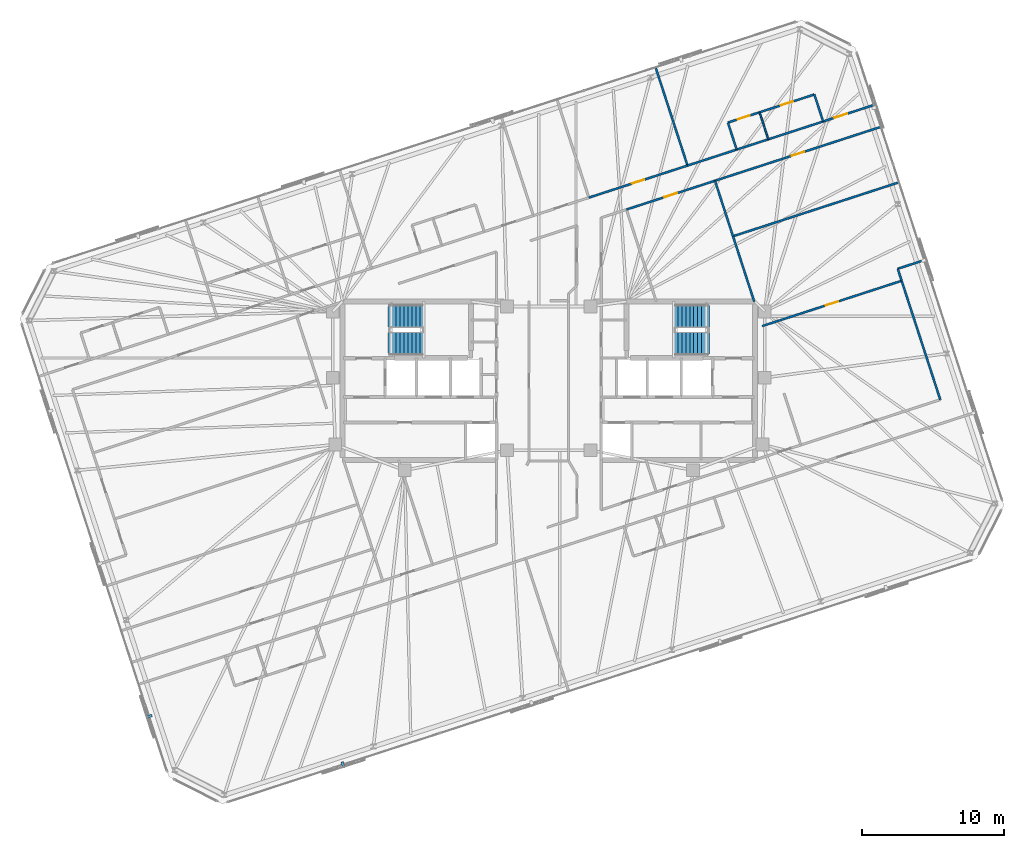
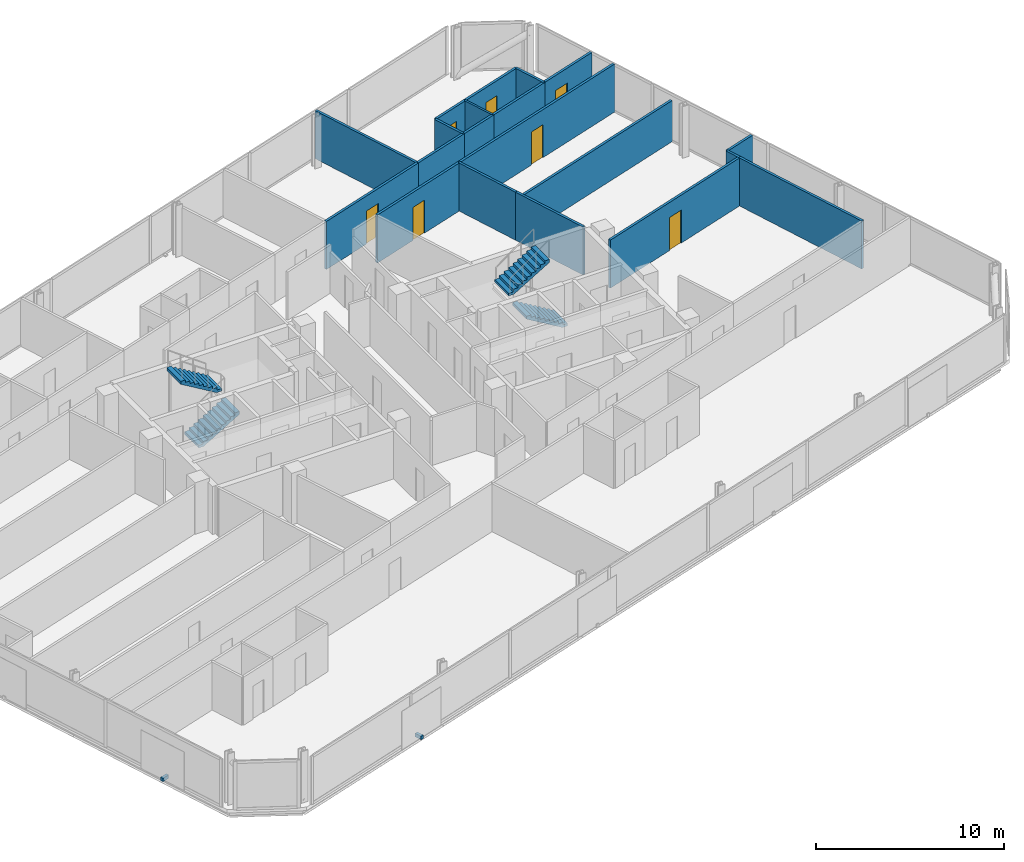
# One storey, part 17 of 19: 20 walls, 7 doors, 4 stair flights, 2 discrete accessories, 7 openings, 2 elements without a shape of their own.
"""IFC4 building model written with IfcOpenShell, lengths in metres."""

from ifc_helpers import new_model, si_unit, direction, frame, frame_2d, origin, origin_2d, place, context, subcontext, project, spatial, polyline, rectangle, outline, extrude, material, layer, layer_set, type_object, element, fill, aggregate, save


model = new_model("IFC4")

# Units and contexts
model_context = context("Model", 3, precision=1e-05, world=origin(), true_north=direction((0.0, 1.0)))
body_context = subcontext(model_context, "Body", "Model", "MODEL_VIEW")
ifc_project = project(units=[si_unit("LENGTHUNIT", "METRE"), si_unit("AREAUNIT", "SQUARE_METRE"), si_unit("VOLUMEUNIT", "CUBIC_METRE"), si_unit("PLANEANGLEUNIT", "RADIAN"), si_unit("MASSUNIT", "GRAM", prefix="KILO")], contexts=[model_context])

# Site, building, storey
site_placement = place(None, origin())
site = spatial("IfcSite", under=ifc_project, at=site_placement, CompositionType="ELEMENT")
building_placement = place(site_placement, origin())
building = spatial("IfcBuilding", under=site, at=building_placement, Name="Menara Jurai Vektor", CompositionType="ELEMENT")
storey_placement = place(building_placement, frame((0.0, 0.0, 210.89990234375)))
storey = spatial("IfcBuildingStorey", under=building, at=storey_placement, Name="L55", CompositionType="ELEMENT", Elevation=210.89990234375)

# Wall
ifc_material_1 = material(Name="Gypsum Fireboard Partition", Category="gypsum")
ifc_layer_1 = layer(ifc_material_1, 0.14990234375)
ifc_layer_set_1 = layer_set([ifc_layer_1], Name="Gypsum Fireboard Partition")
wall_type_1 = type_object("IfcWallType", Name="INT-WALL-CORR-150", PredefinedType="PARTITIONING", material=ifc_layer_set_1)
wall_1_placement = place(storey_placement, frame((9.790771484375, 15.1962890625, 0.0), z_axis=(0.0, 0.0, 1.0), x_axis=(0.951050780541, 0.309034646652, 0.0)))
element("IfcWall", 1, at=wall_1_placement, inside=storey, type_object=wall_type_1, Name="Interior Wall IW-150 L55", PredefinedType="PARTITIONING", context=body_context, shape_type="SweptSolid", body=[
    extrude(rectangle(XDim=3.64990234375, YDim=0.14990234375, at=frame_2d((1.824951171875, 0.0))), origin(), (0.0, 0.0, 1.0), 3.125),
])

# Wall, opening, door
wall_2_placement = place(storey_placement, frame((19.367919921875, 18.30810546875, 0.0), z_axis=(0.0, 0.0, 1.0), x_axis=(0.951052151329, 0.309030428036, 0.0)))
wall_2 = element("IfcWall", 2, at=wall_2_placement, inside=storey, type_object=wall_type_1, Name="Interior Wall IW-150 L55", PredefinedType="PARTITIONING", context=body_context, shape_type="SweptSolid", body=[
    extrude(rectangle(XDim=3.77001953125, YDim=0.14990234375, at=frame_2d((1.885009765625, 0.0))), origin(), (0.0, 0.0, 1.0), 3.125),
])
opening_1_placement = place(wall_2_placement, frame((0.844482421875, 0.0, 0.0)))
opening_1 = element("IfcOpeningElement", 3, at=opening_1_placement, cuts=wall_2, Name="Opening D55-16", PredefinedType="OPENING", context=body_context, shape_type="SweptSolid", body=[
    extrude(rectangle(XDim=0.949951171875, YDim=2.14990234375, at=frame_2d((0.47509765625, 1.074951171875))), frame((0.0, 0.0849609375, 0.0), z_axis=(0.0, -1.0, 0.0), x_axis=(1.0, 0.0, 0.0)), (0.0, 0.0, 1.0), 0.169921875),
])
ifc_material_2 = material(Name="Solid Core Timber Fire Door", Category="wood")
door_type_1 = type_object("IfcDoorType", Name="DR-ENTRY-950", OperationType="NOTDEFINED", PredefinedType="DOOR", material=ifc_material_2)
door_1_placement = place(opening_1_placement, origin())
door_1 = element("IfcDoor", 4, at=door_1_placement, inside=storey, type_object=door_type_1, Name="Interior Door D55-16", OperationType="SINGLE_SWING_RIGHT", OverallHeight=2.14990234375, OverallWidth=0.949951171875, PredefinedType="DOOR", context=body_context, shape_type="SweptSolid", body=[
    extrude(rectangle(XDim=0.949951171875, YDim=2.14990234375, at=frame_2d((0.47509765625, 1.074951171875))), frame((0.0, 0.02490234375, 0.0), z_axis=(0.0, -1.0, 0.0), x_axis=(1.0, 0.0, 0.0)), (0.0, 0.0, 1.0), 0.050048828125),
])
fill(opening_1, door_1)

# Walls
wall_3_placement = place(storey_placement, frame((13.261962890625, 16.32421875, 0.0), z_axis=(0.0, 0.0, 1.0), x_axis=(0.951045519245, 0.309050837767, 0.0)))
element("IfcWall", 5, at=wall_3_placement, inside=storey, type_object=wall_type_1, Name="Interior Wall IW-150 L55", PredefinedType="PARTITIONING", context=body_context, shape_type="SweptSolid", body=[
    extrude(rectangle(XDim=2.35009765625, YDim=0.14990234375, at=frame_2d((1.175048828125, 0.0))), origin(), (0.0, 0.0, 1.0), 3.125),
])
wall_4_placement = place(storey_placement, frame((15.4970703125, 17.050537109375, 0.0), z_axis=(0.0, 0.0, 1.0), x_axis=(0.951067124726, 0.308984343076, 0.0)))
element("IfcWall", 6, at=wall_4_placement, inside=storey, type_object=wall_type_1, Name="Interior Wall IW-150 L55", PredefinedType="PARTITIONING", context=body_context, shape_type="SweptSolid", body=[
    extrude(rectangle(XDim=4.070068359375, YDim=0.14990234375, at=frame_2d((2.03515625, 0.0))), origin(), (0.0, 0.0, 1.0), 3.125),
])

# Wall, opening, door
wall_5_placement = place(storey_placement, frame((5.47900390625, 12.092041015625, 0.0), z_axis=(0.0, 0.0, 1.0), x_axis=(0.951051809397, 0.309031480343, 0.0)))
wall_5 = element("IfcWall", 7, at=wall_5_placement, inside=storey, type_object=wall_type_1, Name="Interior Wall IW-150 L55", PredefinedType="PARTITIONING", context=body_context, shape_type="SweptSolid", body=[
    extrude(rectangle(XDim=6.572998046875, YDim=0.14990234375, at=frame_2d((3.28662109375, 0.0))), origin(), (0.0, 0.0, 1.0), 3.125),
])
opening_2_placement = place(wall_5_placement, frame((2.826416015625, 0.0, 0.0)))
opening_2 = element("IfcOpeningElement", 8, at=opening_2_placement, cuts=wall_5, Name="Opening D55-39", PredefinedType="OPENING", context=body_context, shape_type="SweptSolid", body=[
    extrude(rectangle(XDim=0.919921875, YDim=2.14990234375, at=frame_2d((0.4599609375, 1.074951171875))), frame((0.0, 0.0849609375, 0.0), z_axis=(0.0, -1.0, 0.0), x_axis=(1.0, 0.0, 0.0)), (0.0, 0.0, 1.0), 0.169921875),
])
door_2_placement = place(opening_2_placement, origin())
door_2 = element("IfcDoor", 9, at=door_2_placement, inside=storey, type_object=door_type_1, Name="Interior Door D55-39", OperationType="SINGLE_SWING_LEFT", OverallHeight=2.14990234375, OverallWidth=0.919921875, PredefinedType="DOOR", context=body_context, shape_type="SweptSolid", body=[
    extrude(rectangle(XDim=0.919921875, YDim=2.14990234375, at=frame_2d((0.4599609375, 1.074951171875))), frame((0.0, 0.02490234375, 0.0), z_axis=(0.0, -1.0, 0.0), x_axis=(1.0, 0.0, 0.0)), (0.0, 0.0, 1.0), 0.050048828125),
])
fill(opening_2, door_2)

wall_6_placement = place(storey_placement, frame((2.826904296875, 12.93359375, 0.0), z_axis=(0.0, 0.0, 1.0), x_axis=(0.951056608557, 0.309016710423, 0.0)))
wall_6 = element("IfcWall", 10, at=wall_6_placement, inside=storey, type_object=wall_type_1, Name="Interior Wall IW-150 L55", PredefinedType="PARTITIONING", context=body_context, shape_type="SweptSolid", body=[
    extrude(rectangle(XDim=7.322265625, YDim=0.14990234375, at=frame_2d((3.6611328125, 0.0))), origin(), (0.0, 0.0, 1.0), 3.125),
])
opening_3_placement = place(wall_6_placement, frame((3.200927734375, 0.0, 0.0)))
opening_3 = element("IfcOpeningElement", 11, at=opening_3_placement, cuts=wall_6, Name="Opening D55-46", PredefinedType="OPENING", context=body_context, shape_type="SweptSolid", body=[
    extrude(rectangle(XDim=0.919921875, YDim=2.14990234375, at=frame_2d((0.4599609375, 1.074951171875))), frame((0.0, 0.0849609375, 0.0), z_axis=(0.0, -1.0, 0.0), x_axis=(1.0, 0.0, 0.0)), (0.0, 0.0, 1.0), 0.169921875),
])
door_3_placement = place(opening_3_placement, origin())
door_3 = element("IfcDoor", 12, at=door_3_placement, inside=storey, type_object=door_type_1, Name="Interior Door D55-46", OperationType="SINGLE_SWING_RIGHT", OverallHeight=2.14990234375, OverallWidth=0.919921875, PredefinedType="DOOR", context=body_context, shape_type="SweptSolid", body=[
    extrude(rectangle(XDim=0.919921875, YDim=2.14990234375, at=frame_2d((0.4599609375, 1.074951171875))), frame((0.0, 0.02490234375, 0.0), z_axis=(0.0, -1.0, 0.0), x_axis=(1.0, 0.0, 0.0)), (0.0, 0.0, 1.0), 0.050048828125),
])
fill(opening_3, door_3)

# Walls
wall_7_placement = place(storey_placement, frame((27.63671875, -1.331787109375, 0.0), z_axis=(0.0, 0.0, 1.0), x_axis=(-0.309040411618, 0.951048907253, 0.0)))
element("IfcWall", 13, at=wall_7_placement, inside=storey, type_object=wall_type_1, Name="Interior Wall IW-150 L55", PredefinedType="PARTITIONING", context=body_context, shape_type="SweptSolid", body=[
    extrude(rectangle(XDim=8.825927734375, YDim=0.14990234375, at=frame_2d((4.4130859375, 0.0))), origin(), (0.0, 0.0, 1.0), 3.125),
])
wall_8_placement = place(storey_placement, frame((24.9091796875, 7.06201171875, 0.0), z_axis=(0.0, 0.0, 1.0), x_axis=(-0.30899324298, 0.951064233263, 0.0)))
element("IfcWall", 14, at=wall_8_placement, inside=storey, type_object=wall_type_1, Name="Interior Wall IW-150 L55", PredefinedType="PARTITIONING", context=body_context, shape_type="SweptSolid", body=[
    extrude(rectangle(XDim=0.89208984375, YDim=0.14990234375, at=frame_2d((0.446044921875, 0.0))), origin(), (0.0, 0.0, 1.0), 3.125),
])
wall_9_placement = place(storey_placement, frame((24.633544921875, 7.910400390625, 0.0), z_axis=(0.0, 0.0, 1.0), x_axis=(0.951054051148, 0.309024581215, 0.0)))
element("IfcWall", 15, at=wall_9_placement, inside=storey, type_object=wall_type_1, Name="Interior Wall IW-150 L55", PredefinedType="PARTITIONING", context=body_context, shape_type="SweptSolid", body=[
    extrude(rectangle(XDim=1.97509765625, YDim=0.14990234375, at=frame_2d((0.987548828125, 0.0))), origin(), (0.0, 0.0, 1.0), 3.125),
])

# Wall, opening, door
wall_10_placement = place(storey_placement, frame((11.730224609375, 14.123291015625, 0.0), z_axis=(0.0, 0.0, 1.0), x_axis=(0.951060263663, 0.309005460926, 0.0)))
wall_10 = element("IfcWall", 16, at=wall_10_placement, inside=storey, type_object=wall_type_1, Name="Interior Wall IW-150 L55", PredefinedType="PARTITIONING", context=body_context, shape_type="SweptSolid", body=[
    extrude(rectangle(XDim=12.326904296875, YDim=0.14990234375, at=frame_2d((6.16357421875, 0.0))), origin(), (0.0, 0.0, 1.0), 3.125),
])
opening_4_placement = place(wall_10_placement, frame((5.70361328125, 0.0, 0.0)))
opening_4 = element("IfcOpeningElement", 17, at=opening_4_placement, cuts=wall_10, Name="Opening D55-49", PredefinedType="OPENING", context=body_context, shape_type="SweptSolid", body=[
    extrude(rectangle(XDim=0.919921875, YDim=2.14990234375, at=frame_2d((0.4599609375, 1.074951171875))), frame((0.0, 0.0849609375, 0.0), z_axis=(0.0, -1.0, 0.0), x_axis=(1.0, 0.0, 0.0)), (0.0, 0.0, 1.0), 0.169921875),
])
door_4_placement = place(opening_4_placement, origin())
door_4 = element("IfcDoor", 18, at=door_4_placement, inside=storey, type_object=door_type_1, Name="Interior Door D55-49", OperationType="SINGLE_SWING_LEFT", OverallHeight=2.14990234375, OverallWidth=0.919921875, PredefinedType="DOOR", context=body_context, shape_type="SweptSolid", body=[
    extrude(rectangle(XDim=0.919921875, YDim=2.14990234375, at=frame_2d((0.4599609375, 1.074951171875))), frame((0.0, 0.02490234375, 0.0), z_axis=(0.0, -1.0, 0.0), x_axis=(1.0, 0.0, 0.0)), (0.0, 0.0, 1.0), 0.050048828125),
])
fill(opening_4, door_4)

# Wall
wall_11_placement = place(storey_placement, frame((13.261962890625, 16.32421875, 0.0), z_axis=(0.0, 0.0, 1.0), x_axis=(-0.309022749039, 0.951054646472, 0.0)))
element("IfcWall", 19, at=wall_11_placement, inside=storey, type_object=wall_type_1, Name="Interior Wall IW-150 L55", PredefinedType="PARTITIONING", context=body_context, shape_type="SweptSolid", body=[
    extrude(rectangle(XDim=2.005126953125, YDim=0.14990234375, at=frame_2d((1.00244140625, 0.0))), origin(), (0.0, 0.0, 1.0), 3.125),
])

# Wall, opening, door
wall_12_placement = place(storey_placement, frame((12.642333984375, 18.231201171875, 0.0), z_axis=(0.0, 0.0, 1.0), x_axis=(0.951076048914, 0.308956872689, 0.0)))
wall_12 = element("IfcWall", 20, at=wall_12_placement, inside=storey, type_object=wall_type_1, Name="Interior Wall IW-150 L55", PredefinedType="PARTITIONING", context=body_context, shape_type="SweptSolid", body=[
    extrude(rectangle(XDim=2.35009765625, YDim=0.14990234375, at=frame_2d((1.175048828125, 0.0))), origin(), (0.0, 0.0, 1.0), 3.125),
])
opening_5_placement = place(wall_12_placement, frame((0.735107421875, 0.0, 0.0)))
opening_5 = element("IfcOpeningElement", 21, at=opening_5_placement, cuts=wall_12, Name="Opening D55-17", PredefinedType="OPENING", context=body_context, shape_type="SweptSolid", body=[
    extrude(rectangle(XDim=0.8798828125, YDim=2.14990234375, at=frame_2d((0.43994140625, 1.074951171875))), frame((0.0, 0.0849609375, 0.0), z_axis=(0.0, -1.0, 0.0), x_axis=(1.0, 0.0, 0.0)), (0.0, 0.0, 1.0), 0.169921875),
])
ifc_material_3 = material(Name="Moisture-Resistant Timber Door", Category="wood")
door_type_2 = type_object("IfcDoorType", Name="DR-BATH-880", OperationType="NOTDEFINED", PredefinedType="DOOR", material=ifc_material_3)
door_5_placement = place(opening_5_placement, origin())
door_5 = element("IfcDoor", 22, at=door_5_placement, inside=storey, type_object=door_type_2, Name="Interior Door D55-17", OperationType="SINGLE_SWING_LEFT", OverallHeight=2.14990234375, OverallWidth=0.8798828125, PredefinedType="DOOR", context=body_context, shape_type="SweptSolid", body=[
    extrude(rectangle(XDim=0.8798828125, YDim=2.14990234375, at=frame_2d((0.43994140625, 1.074951171875))), frame((0.0, 0.02490234375, 0.0), z_axis=(0.0, -1.0, 0.0), x_axis=(1.0, 0.0, 0.0)), (0.0, 0.0, 1.0), 0.050048828125),
])
fill(opening_5, door_5)

wall_13_placement = place(storey_placement, frame((14.87744140625, 18.957275390625, 0.0), z_axis=(0.0, 0.0, 1.0), x_axis=(0.95104949593, 0.309038600002, 0.0)))
wall_13 = element("IfcWall", 23, at=wall_13_placement, inside=storey, type_object=wall_type_1, Name="Interior Wall IW-150 L55", PredefinedType="PARTITIONING", context=body_context, shape_type="SweptSolid", body=[
    extrude(rectangle(XDim=4.070068359375, YDim=0.14990234375, at=frame_2d((2.03515625, 0.0))), origin(), (0.0, 0.0, 1.0), 3.125),
])
opening_6_placement = place(wall_13_placement, frame((1.5849609375, 0.0, 0.0)))
opening_6 = element("IfcOpeningElement", 24, at=opening_6_placement, cuts=wall_13, Name="Opening D55-18", PredefinedType="OPENING", context=body_context, shape_type="SweptSolid", body=[
    extrude(rectangle(XDim=0.89990234375, YDim=2.14990234375, at=frame_2d((0.449951171875, 1.074951171875))), frame((0.0, 0.0849609375, 0.0), z_axis=(0.0, -1.0, 0.0), x_axis=(1.0, 0.0, 0.0)), (0.0, 0.0, 1.0), 0.169921875),
])
ifc_material_4 = material(Name="Acoustic Timber Interior Door", Category="wood")
door_type_3 = type_object("IfcDoorType", Name="DR-ROOM-900", OperationType="NOTDEFINED", PredefinedType="DOOR", material=ifc_material_4)
door_6_placement = place(opening_6_placement, origin())
door_6 = element("IfcDoor", 25, at=door_6_placement, inside=storey, type_object=door_type_3, Name="Interior Door D55-18", OperationType="SINGLE_SWING_RIGHT", OverallHeight=2.14990234375, OverallWidth=0.89990234375, PredefinedType="DOOR", context=body_context, shape_type="SweptSolid", body=[
    extrude(rectangle(XDim=0.89990234375, YDim=2.14990234375, at=frame_2d((0.449951171875, 1.074951171875))), frame((0.0, 0.02490234375, 0.0), z_axis=(0.0, -1.0, 0.0), x_axis=(1.0, 0.0, 0.0)), (0.0, 0.0, 1.0), 0.050048828125),
])
fill(opening_6, door_6)

# Walls
wall_14_placement = place(storey_placement, frame((19.367919921875, 18.30810546875, 0.0), z_axis=(0.0, 0.0, 1.0), x_axis=(-0.309022749039, 0.951054646472, 0.0)))
element("IfcWall", 26, at=wall_14_placement, inside=storey, type_object=wall_type_1, Name="Interior Wall IW-150 L55", PredefinedType="PARTITIONING", context=body_context, shape_type="SweptSolid", body=[
    extrude(rectangle(XDim=2.005126953125, YDim=0.14990234375, at=frame_2d((1.00244140625, 0.0))), origin(), (0.0, 0.0, 1.0), 3.125),
])
wall_15_placement = place(storey_placement, frame((9.790771484375, 15.1962890625, 0.0), z_axis=(0.0, 0.0, 1.0), x_axis=(-0.309029230739, 0.951052540372, 0.0)))
element("IfcWall", 27, at=wall_15_placement, inside=storey, type_object=wall_type_1, Name="Interior Wall IW-150 L55", PredefinedType="PARTITIONING", context=body_context, shape_type="SweptSolid", body=[
    extrude(rectangle(XDim=7.283935546875, YDim=0.14990234375, at=frame_2d((3.64208984375, 0.0))), origin(), (0.0, 0.0, 1.0), 3.125),
])
wall_16_placement = place(storey_placement, frame((14.49951171875, 5.599853515625, 0.0), z_axis=(0.0, 0.0, 1.0), x_axis=(-0.308974360462, 0.951070367837, 0.0)))
element("IfcWall", 28, at=wall_16_placement, inside=storey, type_object=wall_type_1, Name="Interior Wall IW-150 L55", PredefinedType="PARTITIONING", context=body_context, shape_type="SweptSolid", body=[
    extrude(rectangle(XDim=4.843017578125, YDim=0.14990234375, at=frame_2d((2.42138671875, 0.0))), origin(), (0.0, 0.0, 1.0), 3.125),
])
wall_17_placement = place(storey_placement, frame((13.003173828125, 10.205810546875, 0.0), z_axis=(0.0, 0.0, 1.0), x_axis=(-0.309035144366, 0.951050618814, 0.0)))
element("IfcWall", 29, at=wall_17_placement, inside=storey, type_object=wall_type_1, Name="Interior Wall IW-150 L55", PredefinedType="PARTITIONING", context=body_context, shape_type="SweptSolid", body=[
    extrude(rectangle(XDim=4.119140625, YDim=0.14990234375, at=frame_2d((2.0595703125, 0.0))), origin(), (0.0, 0.0, 1.0), 3.125),
])

# Wall, opening, door
wall_18_placement = place(storey_placement, frame((15.06396484375, 3.86328125, 0.0), z_axis=(0.0, 0.0, 1.0), x_axis=(0.951061448945, 0.309001812827, 0.0)))
wall_18 = element("IfcWall", 30, at=wall_18_placement, inside=storey, type_object=wall_type_1, Name="Interior Wall IW-150 L55", PredefinedType="PARTITIONING", context=body_context, shape_type="SweptSolid", body=[
    extrude(rectangle(XDim=10.351806640625, YDim=0.14990234375, at=frame_2d((5.17578125, 0.0))), origin(), (0.0, 0.0, 1.0), 3.125),
])
opening_7_placement = place(wall_18_placement, frame((4.716064453125, 0.0, 0.0)))
opening_7 = element("IfcOpeningElement", 31, at=opening_7_placement, cuts=wall_18, Name="Opening D55-48", PredefinedType="OPENING", context=body_context, shape_type="SweptSolid", body=[
    extrude(rectangle(XDim=0.919921875, YDim=2.14990234375, at=frame_2d((0.4599609375, 1.074951171875))), frame((0.0, 0.0849609375, 0.0), z_axis=(0.0, -1.0, 0.0), x_axis=(1.0, 0.0, 0.0)), (0.0, 0.0, 1.0), 0.169921875),
])
door_7_placement = place(opening_7_placement, origin())
door_7 = element("IfcDoor", 32, at=door_7_placement, inside=storey, type_object=door_type_1, Name="Interior Door D55-48", OperationType="SINGLE_SWING_RIGHT", OverallHeight=2.14990234375, OverallWidth=0.919921875, PredefinedType="DOOR", context=body_context, shape_type="SweptSolid", body=[
    extrude(rectangle(XDim=0.919921875, YDim=2.14990234375, at=frame_2d((0.4599609375, 1.074951171875))), frame((0.0, 0.02490234375, 0.0), z_axis=(0.0, -1.0, 0.0), x_axis=(1.0, 0.0, 0.0)), (0.0, 0.0, 1.0), 0.050048828125),
])
fill(opening_7, door_7)

# Walls
ifc_layer_2 = layer(ifc_material_1, 0.14990234375)
ifc_layer_set_2 = layer_set([ifc_layer_2], Name="Gypsum Fireboard Partition")
wall_type_2 = type_object("IfcWallType", Name="INT-WALL-CORR-150-H1", PredefinedType="PARTITIONING", material=ifc_layer_set_2)
wall_19_placement = place(storey_placement, frame((13.003173828125, 10.205810546875, 0.0), z_axis=(0.0, 0.0, 1.0), x_axis=(0.951060263663, 0.309005460926, 0.0)))
element("IfcWall", 33, at=wall_19_placement, inside=storey, type_object=wall_type_2, Name="Interior Wall IW-150 L55", PredefinedType="PARTITIONING", context=body_context, shape_type="SweptSolid", body=[
    extrude(rectangle(XDim=12.326904296875, YDim=0.14990234375, at=frame_2d((6.16357421875, 0.0))), origin(), (0.0, 0.0, 1.0), 2.675048828125),
])
ifc_material_5 = material(Name="Gypsum Acoustic Stud Partition", Category="gypsum")
ifc_layer_3 = layer(ifc_material_5, 0.1201171875)
ifc_layer_set_3 = layer_set([ifc_layer_3], Name="Gypsum Acoustic Stud Partition")
wall_type_3 = type_object("IfcWallType", Name="INT-WALL-PART-120", PredefinedType="PARTITIONING", material=ifc_layer_set_3)
wall_20_placement = place(storey_placement, frame((15.4970703125, 17.050537109375, 0.0), z_axis=(0.0, 0.0, 1.0), x_axis=(-0.309058537449, 0.951043017129, 0.0)))
element("IfcWall", 34, at=wall_20_placement, inside=storey, type_object=wall_type_3, Name="Interior Wall IW-120 L55", PredefinedType="PARTITIONING", context=body_context, shape_type="SweptSolid", body=[
    extrude(rectangle(XDim=2.0048828125, YDim=0.1201171875, at=frame_2d((1.00244140625, 0.0))), origin(), (0.0, 0.0, 1.0), 3.125),
])

# Stair, stair flights
ifc_material_6 = material(Name="Concrete C40/50", Category="concrete")
stair_type = type_object("IfcStairType", Name="STAIR-DOGLEG-1500", PredefinedType="HALF_TURN_STAIR", material=ifc_material_6)
stair_1_placement = place(storey_placement, origin())
stair_1 = element("IfcStair", 35, at=stair_1_placement, inside=storey, type_object=stair_type, Name="Protected Exit Stair ST1 L55", PredefinedType="HALF_TURN_STAIR")
stair_flight_type = type_object("IfcStairFlightType", Name="STAIR-FLIGHT-1500", PredefinedType="STRAIGHT", material=ifc_material_6)
stair_flight_1_placement = place(storey_placement, frame((-11.35009765625, 2.64990234375, 0.0), z_axis=(0.0, 0.0, 1.0), x_axis=(1.0, 0.0, 0.0)))
stair_flight_1 = element("IfcStairFlight", 36, at=stair_flight_1_placement, type_object=stair_flight_type, Name="ST1 flight 1", NumberOfRisers=10, NumberOfTreads=9, PredefinedType="STRAIGHT", RiserHeight=0.1675, TreadLength=0.28, context=body_context, shape_type="SweptSolid", body=[
    extrude(outline(polyline([(0.0, 0.0), (0.0, 0.16748046875), (0.280029296875, 0.16748046875), (0.280029296875, 0.3349609375), (0.56005859375, 0.3349609375), (0.56005859375, 0.50244140625), (0.840087890625, 0.50244140625), (0.840087890625, 0.669921875), (1.1201171875, 0.669921875), (1.1201171875, 0.83740234375), (1.39990234375, 0.83740234375), (1.39990234375, 1.0048828125), (1.679931640625, 1.0048828125), (1.679931640625, 1.172607421875), (1.9599609375, 1.172607421875), (1.9599609375, 1.340087890625), (2.239990234375, 1.340087890625), (2.239990234375, 1.507568359375), (2.52001953125, 1.507568359375), (2.52001953125, 1.675048828125), (2.52001953125, 1.321044921875), (0.3115234375, 0.0), (0.0, 0.0)])), frame((0.0, 0.75, 0.0), z_axis=(0.0, -1.0, 0.0), x_axis=(1.0, 0.0, 0.0)), (0.0, 0.0, 1.0), 1.5),
])
stair_flight_2_placement = place(storey_placement, frame((-8.830078125, 4.550048828125, 1.675048828125), z_axis=(0.0, 0.0, 1.0), x_axis=(-1.0, 0.0, 0.0)))
stair_flight_2 = element("IfcStairFlight", 37, at=stair_flight_2_placement, type_object=stair_flight_type, Name="ST1 flight 2", NumberOfRisers=10, NumberOfTreads=9, PredefinedType="STRAIGHT", RiserHeight=0.1675, TreadLength=0.28, context=body_context, shape_type="SweptSolid", body=[
    extrude(outline(polyline([(0.0, 0.0), (0.0, 0.16748046875), (0.280029296875, 0.16748046875), (0.280029296875, 0.3349609375), (0.56005859375, 0.3349609375), (0.56005859375, 0.50244140625), (0.840087890625, 0.50244140625), (0.840087890625, 0.669921875), (1.1201171875, 0.669921875), (1.1201171875, 0.83740234375), (1.39990234375, 0.83740234375), (1.39990234375, 1.0048828125), (1.679931640625, 1.0048828125), (1.679931640625, 1.172607421875), (1.9599609375, 1.172607421875), (1.9599609375, 1.340087890625), (2.239990234375, 1.340087890625), (2.239990234375, 1.507568359375), (2.52001953125, 1.507568359375), (2.52001953125, 1.675048828125), (2.52001953125, 1.321044921875), (0.3115234375, 0.0), (0.0, 0.0)])), frame((0.0, 0.75, 0.0), z_axis=(0.0, -1.0, 0.0), x_axis=(1.0, 0.0, 0.0)), (0.0, 0.0, 1.0), 1.5),
])
aggregate(stair_1, [stair_flight_1, stair_flight_2])

stair_2_placement = place(storey_placement, origin())
stair_2 = element("IfcStair", 38, at=stair_2_placement, inside=storey, type_object=stair_type, Name="Protected Exit Stair ST2 L55", PredefinedType="HALF_TURN_STAIR")
stair_flight_3_placement = place(storey_placement, frame((11.35009765625, 2.64990234375, 0.0), z_axis=(0.0, 0.0, 1.0), x_axis=(-1.0, 0.0, 0.0)))
stair_flight_3 = element("IfcStairFlight", 39, at=stair_flight_3_placement, type_object=stair_flight_type, Name="ST2 flight 1", NumberOfRisers=10, NumberOfTreads=9, PredefinedType="STRAIGHT", RiserHeight=0.1675, TreadLength=0.28, context=body_context, shape_type="SweptSolid", body=[
    extrude(outline(polyline([(0.0, 0.0), (0.0, 0.16748046875), (0.280029296875, 0.16748046875), (0.280029296875, 0.3349609375), (0.56005859375, 0.3349609375), (0.56005859375, 0.50244140625), (0.840087890625, 0.50244140625), (0.840087890625, 0.669921875), (1.1201171875, 0.669921875), (1.1201171875, 0.83740234375), (1.39990234375, 0.83740234375), (1.39990234375, 1.0048828125), (1.679931640625, 1.0048828125), (1.679931640625, 1.172607421875), (1.9599609375, 1.172607421875), (1.9599609375, 1.340087890625), (2.239990234375, 1.340087890625), (2.239990234375, 1.507568359375), (2.52001953125, 1.507568359375), (2.52001953125, 1.675048828125), (2.52001953125, 1.321044921875), (0.3115234375, 0.0), (0.0, 0.0)])), frame((0.0, 0.75, 0.0), z_axis=(0.0, -1.0, 0.0), x_axis=(1.0, 0.0, 0.0)), (0.0, 0.0, 1.0), 1.5),
])
stair_flight_4_placement = place(storey_placement, frame((8.830078125, 4.550048828125, 1.675048828125), z_axis=(0.0, 0.0, 1.0), x_axis=(1.0, 0.0, 0.0)))
stair_flight_4 = element("IfcStairFlight", 40, at=stair_flight_4_placement, type_object=stair_flight_type, Name="ST2 flight 2", NumberOfRisers=10, NumberOfTreads=9, PredefinedType="STRAIGHT", RiserHeight=0.1675, TreadLength=0.28, context=body_context, shape_type="SweptSolid", body=[
    extrude(outline(polyline([(0.0, 0.0), (0.0, 0.16748046875), (0.280029296875, 0.16748046875), (0.280029296875, 0.3349609375), (0.56005859375, 0.3349609375), (0.56005859375, 0.50244140625), (0.840087890625, 0.50244140625), (0.840087890625, 0.669921875), (1.1201171875, 0.669921875), (1.1201171875, 0.83740234375), (1.39990234375, 0.83740234375), (1.39990234375, 1.0048828125), (1.679931640625, 1.0048828125), (1.679931640625, 1.172607421875), (1.9599609375, 1.172607421875), (1.9599609375, 1.340087890625), (2.239990234375, 1.340087890625), (2.239990234375, 1.507568359375), (2.52001953125, 1.507568359375), (2.52001953125, 1.675048828125), (2.52001953125, 1.321044921875), (0.3115234375, 0.0), (0.0, 0.0)])), frame((0.0, 0.75, 0.0), z_axis=(0.0, -1.0, 0.0), x_axis=(1.0, 0.0, 0.0)), (0.0, 0.0, 1.0), 1.5),
])
aggregate(stair_2, [stair_flight_3, stair_flight_4])

# Discrete accessories
ifc_material_7 = material(Name="Steel S355", Category="steel")
discrete_accessory_type = type_object("IfcDiscreteAccessoryType", Name="ENV-ACC-BRACKET", PredefinedType="BRACKET", material=ifc_material_7)
for number, where, z_axis, x_axis, name in (
    (41, (-14.524658203125, -27.1142578125, -0.1298828125), (0.0, 0.0, 1.0), (0.951056516295, 0.309016994375, 0.0), "Solar Screen Stand-Off Bracket L55-S01"),
    (42, (-28.222412109375, -23.693115234375, -0.1298828125), (0.0, 0.0, 1.0), (0.309016994375, -0.951056516295, 0.0), "Solar Screen Stand-Off Bracket L55-S14"),
):
    element("IfcDiscreteAccessory", number, at=place(storey_placement, frame(where, z_axis=z_axis, x_axis=x_axis)), inside=storey, type_object=discrete_accessory_type, Name=name, PredefinedType="BRACKET", context=body_context, shape_type="SweptSolid", body=[
        extrude(rectangle(XDim=0.179931640625, YDim=0.43994140625, at=origin_2d()), origin(), (0.0, 0.0, 1.0), 0.219970703125),
    ])

save(model, "model.ifc")
